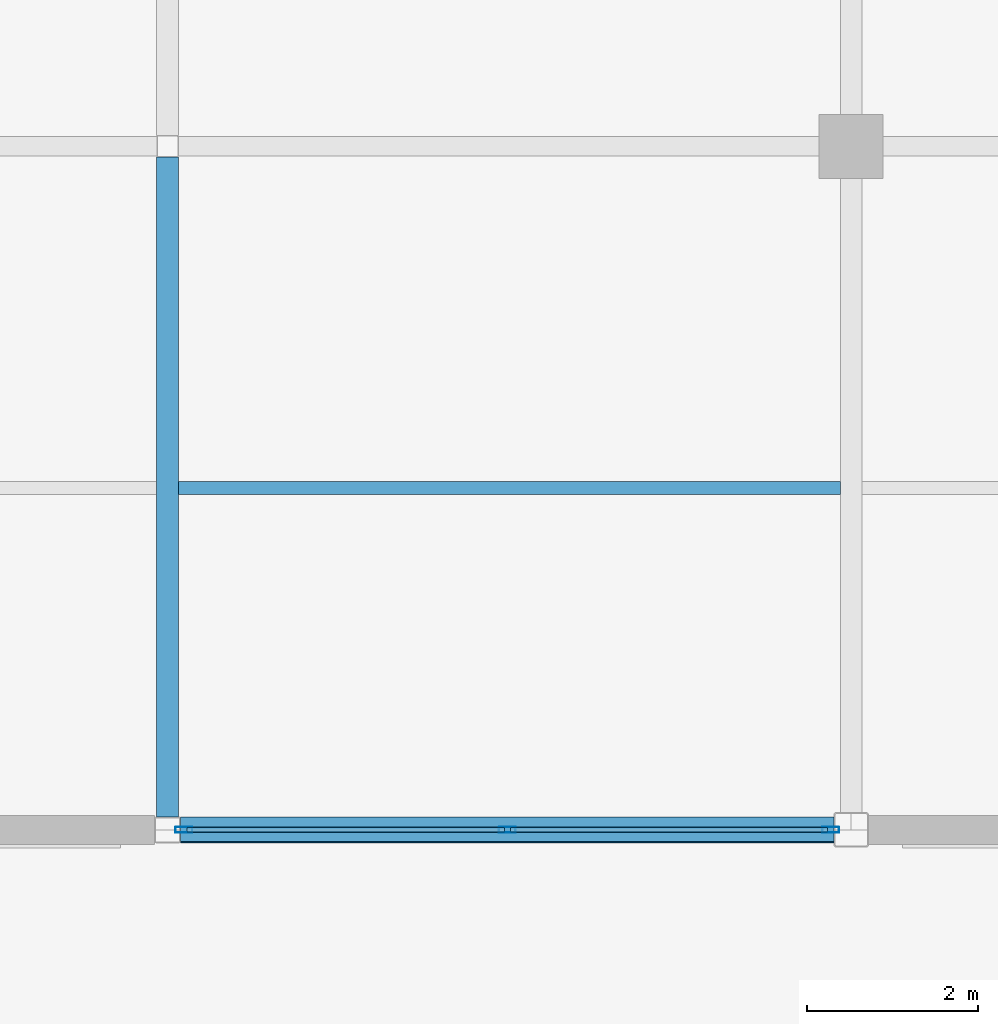
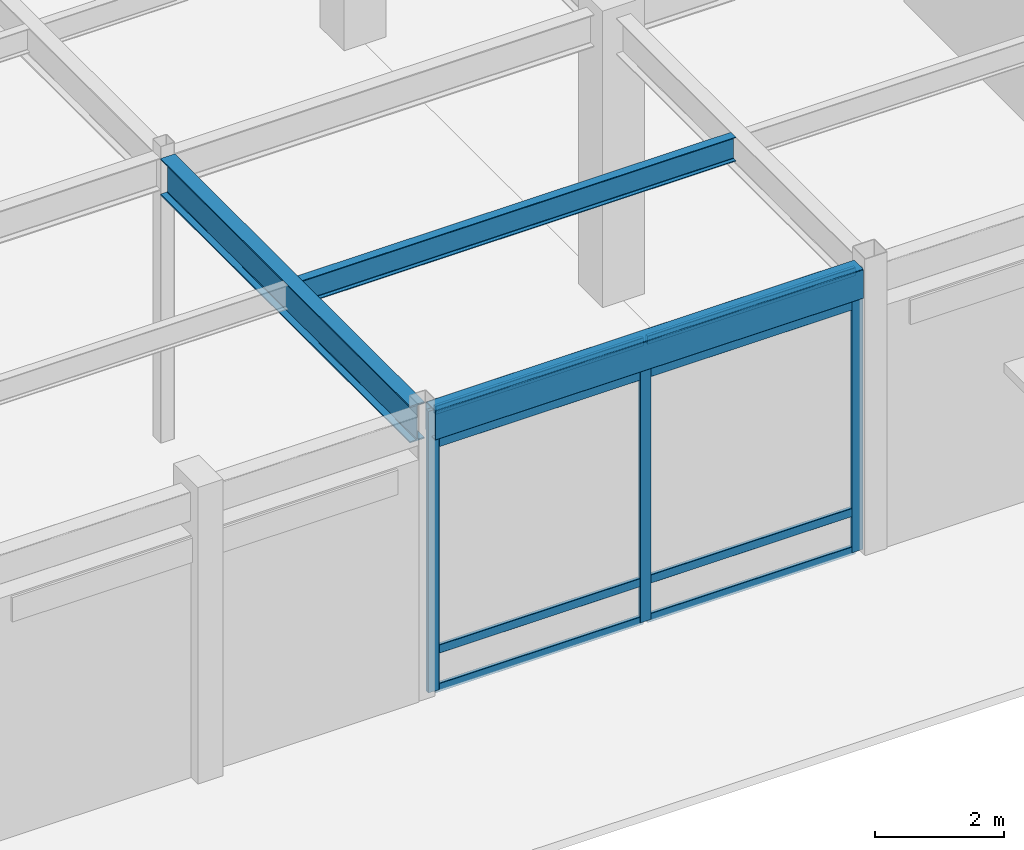
# One storey, part 46 of 128: 11 members, 3 beams, 1 element without a shape of its own.
"""IFC4 building model written with IfcOpenShell, lengths in metres."""

from ifc_helpers import new_model, si_unit, direction, frame, origin, origin_2d, place, context, subcontext, project, spatial, hollow_rectangle, i_section, extrude, material, material_profile, profile_set, type_object, element, aggregate, save


model = new_model("IFC4")

# Units and contexts
model_context = context("Model", 3, precision=1e-05, world=origin(), true_north=direction((0.0, 1.0)))
body_context = subcontext(model_context, "Body", "Model", "MODEL_VIEW")
ifc_project = project(units=[si_unit("LENGTHUNIT", "METRE"), si_unit("AREAUNIT", "SQUARE_METRE"), si_unit("VOLUMEUNIT", "CUBIC_METRE"), si_unit("PLANEANGLEUNIT", "RADIAN"), si_unit("MASSUNIT", "GRAM", prefix="KILO")], contexts=[model_context])

# Site, building, storey
site_placement = place(None, origin())
site = spatial("IfcSite", under=ifc_project, at=site_placement, CompositionType="ELEMENT")
building_placement = place(site_placement, origin())
building = spatial("IfcBuilding", under=site, at=building_placement, Name="Solmirada Galleria", CompositionType="ELEMENT")
storey_placement = place(building_placement, origin())
storey = spatial("IfcBuildingStorey", under=building, at=storey_placement, Name="L00", CompositionType="ELEMENT", Elevation=0.0)

# Beams
ifc_material_1 = material(Name="Steel S355 / ASTM A992 Grade 50", Category="steel")
ifc_material_profile_1 = material_profile(ifc_material_1, i_section(OverallWidth=0.256103515625, OverallDepth=0.693115234375, WebThickness=0.014404296875, FlangeThickness=0.023681640625, FilletRadius=0.01806640625, at=origin_2d()), Name="W27X114")
ifc_profile_set_1 = profile_set([ifc_material_profile_1], Name="Steel S355 / ASTM A992 Grade 50")
beam_type_1 = type_object("IfcBeamType", Name="BM-GIRD-W27A", PredefinedType="BEAM", material=ifc_profile_set_1)
beam_1_placement = place(storey_placement, frame((72.0, 0.152587890625, 5.033447265625), z_axis=(0.0, 1.0, 0.0), x_axis=(-1.0, 0.0, 0.0)))
element("IfcBeam", 1, at=beam_1_placement, inside=storey, type_object=beam_type_1, Name="Primary girder L01 Y(72, 0..8)", PredefinedType="BEAM", context=body_context, shape_type="SweptSolid", body=[
    extrude(i_section(OverallWidth=0.256103515625, OverallDepth=0.693115234375, WebThickness=0.014404296875, FlangeThickness=0.023681640625, FilletRadius=0.01806640625, at=origin_2d()), origin(), (0.0, 0.0, 1.0), 7.720458984375),
])
ifc_material_profile_2 = material_profile(ifc_material_1, i_section(OverallWidth=0.153076171875, OverallDepth=0.455078125, WebThickness=0.008056640625, FlangeThickness=0.01318359375, FilletRadius=0.011962890625, at=origin_2d()), Name="W18X40")
ifc_profile_set_2 = profile_set([ifc_material_profile_2], Name="Steel S355 / ASTM A992 Grade 50")
beam_type_2 = type_object("IfcBeamType", Name="BM-JST-W18A", PredefinedType="JOIST", material=ifc_profile_set_2)
beam_2_placement = place(storey_placement, frame((72.1279296875, 4.0, 5.152587890625), z_axis=(1.0, 0.0, 0.0), x_axis=(0.0, 1.0, 0.0)))
element("IfcBeam", 2, at=beam_2_placement, inside=storey, type_object=beam_type_2, Name="Composite floor joist L01 (72..80, 4.0)", PredefinedType="JOIST", context=body_context, shape_type="SweptSolid", body=[
    extrude(i_section(OverallWidth=0.153076171875, OverallDepth=0.455078125, WebThickness=0.008056640625, FlangeThickness=0.01318359375, FilletRadius=0.011962890625, at=origin_2d()), origin(), (0.0, 0.0, 1.0), 7.7451171875),
])
ifc_material_2 = material(Name="Steel S355 / ASTM A500 Grade C", Category="steel")
ifc_material_profile_3 = material_profile(ifc_material_2, hollow_rectangle(XDim=0.304931640625, YDim=0.55908203125, WallThickness=0.01171875, InnerFilletRadius=0.01171875, OuterFilletRadius=0.023681640625, at=origin_2d()), Name="HSS22X12X1/2")
ifc_profile_set_3 = profile_set([ifc_material_profile_3], Name="Steel S355 / ASTM A500 Grade C")
beam_type_3 = type_object("IfcBeamType", Name="BM-SPAND-W21", PredefinedType="SPANDREL", material=ifc_profile_set_3)
beam_3_placement = place(storey_placement, frame((72.152587890625, 0.0, 5.1005859375), z_axis=(1.0, 0.0, 0.0), x_axis=(0.0, 1.0, 0.0)))
element("IfcBeam", 3, at=beam_3_placement, inside=storey, type_object=beam_type_3, Name="Primary beam L01 X(72..80, 0)", PredefinedType="SPANDREL", context=body_context, shape_type="SweptSolid", body=[
    extrude(hollow_rectangle(XDim=0.304931640625, YDim=0.55908203125, WallThickness=0.01171875, InnerFilletRadius=0.01171875, OuterFilletRadius=0.023681640625, at=origin_2d()), origin(), (0.0, 0.0, 1.0), 7.64453125),
])

# Curtain wall, members
ifc_material_3 = material(Name="Impact-resistant low-E double glazing", Category="glass")
curtain_wall_type = type_object("IfcCurtainWallType", Name="CW-FZ1-L00-B2-L076", PredefinedType="NOTDEFINED", material=ifc_material_3)
curtain_wall_placement = place(storey_placement, origin())
curtain_wall = element("IfcCurtainWall", 4, at=curtain_wall_placement, inside=storey, type_object=curtain_wall_type, Name="Terrace and arcade storefront CW-L00-026", PredefinedType="NOTDEFINED")
ifc_material_4 = material(Name="Anodised aluminium framing", Category="aluminium")
ifc_material_profile_4 = material_profile(ifc_material_4, hollow_rectangle(XDim=0.070068359375, YDim=0.199951171875, WallThickness=0.004150390625, InnerFilletRadius=0.004150390625, OuterFilletRadius=0.00830078125, at=origin_2d()), Name="ALU-MULL-200X70")
ifc_profile_set_4 = profile_set([ifc_material_profile_4], Name="Anodised aluminium framing")
member_type_1 = type_object("IfcMemberType", Name="CW-MULL-200", PredefinedType="MULLION", material=ifc_profile_set_4)
member_1_placement = place(storey_placement, frame((79.760009765625, 0.0, 0.0), z_axis=(0.0, 0.0, 1.0), x_axis=(0.0, -1.0, 0.0)))
member_1 = element("IfcMember", 5, at=member_1_placement, type_object=member_type_1, Name="CW10 mullion 1", PredefinedType="MULLION", context=body_context, shape_type="SweptSolid", body=[
    extrude(hollow_rectangle(XDim=0.070068359375, YDim=0.199951171875, WallThickness=0.004150390625, InnerFilletRadius=0.004150390625, OuterFilletRadius=0.00830078125, at=origin_2d()), origin(), (0.0, 0.0, 1.0), 5.320068359375),
])
member_2_placement = place(storey_placement, frame((75.974853515625, 0.0, 0.0), z_axis=(0.0, 0.0, 1.0), x_axis=(0.0, -1.0, 0.0)))
member_2 = element("IfcMember", 6, at=member_2_placement, type_object=member_type_1, Name="CW10 mullion 2", PredefinedType="MULLION", context=body_context, shape_type="SweptSolid", body=[
    extrude(hollow_rectangle(XDim=0.070068359375, YDim=0.199951171875, WallThickness=0.004150390625, InnerFilletRadius=0.004150390625, OuterFilletRadius=0.00830078125, at=origin_2d()), origin(), (0.0, 0.0, 1.0), 5.320068359375),
])
member_3_placement = place(storey_placement, frame((72.189453125, 0.0, 0.0), z_axis=(0.0, 0.0, 1.0), x_axis=(0.0, -1.0, 0.0)))
member_3 = element("IfcMember", 7, at=member_3_placement, type_object=member_type_1, Name="CW10 mullion 3", PredefinedType="MULLION", context=body_context, shape_type="SweptSolid", body=[
    extrude(hollow_rectangle(XDim=0.070068359375, YDim=0.199951171875, WallThickness=0.004150390625, InnerFilletRadius=0.004150390625, OuterFilletRadius=0.00830078125, at=origin_2d()), origin(), (0.0, 0.0, 1.0), 5.320068359375),
])
ifc_material_profile_5 = material_profile(ifc_material_4, hollow_rectangle(XDim=0.06494140625, YDim=0.159912109375, WallThickness=0.00390625, InnerFilletRadius=0.00390625, OuterFilletRadius=0.007568359375, at=origin_2d()), Name="ALU-TRAN-160X65")
ifc_profile_set_5 = profile_set([ifc_material_profile_5], Name="Anodised aluminium framing")
member_type_2 = type_object("IfcMemberType", Name="CW-TRAN-160", PredefinedType="USERDEFINED", material=ifc_profile_set_5)
member_4_placement = place(storey_placement, frame((79.72509765625, 0.0, 0.032470703125), z_axis=(-1.0, 0.0, 0.0), x_axis=(0.0, -1.0, 0.0)))
member_4 = element("IfcMember", 8, at=member_4_placement, type_object=member_type_2, Name="CW10 transom 1.1", ObjectType="TRANSOM", PredefinedType="USERDEFINED", context=body_context, shape_type="SweptSolid", body=[
    extrude(hollow_rectangle(XDim=0.06494140625, YDim=0.159912109375, WallThickness=0.00390625, InnerFilletRadius=0.00390625, OuterFilletRadius=0.007568359375, at=origin_2d()), origin(), (0.0, 0.0, 1.0), 3.71533203125),
])
member_5_placement = place(storey_placement, frame((79.72509765625, 0.0, 0.760009765625), z_axis=(-1.0, 0.0, 0.0), x_axis=(0.0, -1.0, 0.0)))
member_5 = element("IfcMember", 9, at=member_5_placement, type_object=member_type_2, Name="CW10 transom 1.2", ObjectType="TRANSOM", PredefinedType="USERDEFINED", context=body_context, shape_type="SweptSolid", body=[
    extrude(hollow_rectangle(XDim=0.06494140625, YDim=0.159912109375, WallThickness=0.00390625, InnerFilletRadius=0.00390625, OuterFilletRadius=0.007568359375, at=origin_2d()), origin(), (0.0, 0.0, 1.0), 3.71533203125),
])
member_6_placement = place(storey_placement, frame((79.72509765625, 0.0, 4.659912109375), z_axis=(-1.0, 0.0, 0.0), x_axis=(0.0, -1.0, 0.0)))
member_6 = element("IfcMember", 10, at=member_6_placement, type_object=member_type_2, Name="CW10 transom 1.3", ObjectType="TRANSOM", PredefinedType="USERDEFINED", context=body_context, shape_type="SweptSolid", body=[
    extrude(hollow_rectangle(XDim=0.06494140625, YDim=0.159912109375, WallThickness=0.00390625, InnerFilletRadius=0.00390625, OuterFilletRadius=0.007568359375, at=origin_2d()), origin(), (0.0, 0.0, 1.0), 3.71533203125),
])
member_7_placement = place(storey_placement, frame((79.72509765625, 0.0, 5.28759765625), z_axis=(-1.0, 0.0, 0.0), x_axis=(0.0, -1.0, 0.0)))
member_7 = element("IfcMember", 11, at=member_7_placement, type_object=member_type_2, Name="CW10 transom 1.4", ObjectType="TRANSOM", PredefinedType="USERDEFINED", context=body_context, shape_type="SweptSolid", body=[
    extrude(hollow_rectangle(XDim=0.06494140625, YDim=0.159912109375, WallThickness=0.00390625, InnerFilletRadius=0.00390625, OuterFilletRadius=0.007568359375, at=origin_2d()), origin(), (0.0, 0.0, 1.0), 3.71533203125),
])
member_8_placement = place(storey_placement, frame((75.939697265625, 0.0, 0.032470703125), z_axis=(-1.0, 0.0, 0.0), x_axis=(0.0, -1.0, 0.0)))
member_8 = element("IfcMember", 12, at=member_8_placement, type_object=member_type_2, Name="CW10 transom 2.1", ObjectType="TRANSOM", PredefinedType="USERDEFINED", context=body_context, shape_type="SweptSolid", body=[
    extrude(hollow_rectangle(XDim=0.06494140625, YDim=0.159912109375, WallThickness=0.00390625, InnerFilletRadius=0.00390625, OuterFilletRadius=0.007568359375, at=origin_2d()), origin(), (0.0, 0.0, 1.0), 3.715087890625),
])
member_9_placement = place(storey_placement, frame((75.939697265625, 0.0, 0.760009765625), z_axis=(-1.0, 0.0, 0.0), x_axis=(0.0, -1.0, 0.0)))
member_9 = element("IfcMember", 13, at=member_9_placement, type_object=member_type_2, Name="CW10 transom 2.2", ObjectType="TRANSOM", PredefinedType="USERDEFINED", context=body_context, shape_type="SweptSolid", body=[
    extrude(hollow_rectangle(XDim=0.06494140625, YDim=0.159912109375, WallThickness=0.00390625, InnerFilletRadius=0.00390625, OuterFilletRadius=0.007568359375, at=origin_2d()), origin(), (0.0, 0.0, 1.0), 3.715087890625),
])
member_10_placement = place(storey_placement, frame((75.939697265625, 0.0, 4.659912109375), z_axis=(-1.0, 0.0, 0.0), x_axis=(0.0, -1.0, 0.0)))
member_10 = element("IfcMember", 14, at=member_10_placement, type_object=member_type_2, Name="CW10 transom 2.3", ObjectType="TRANSOM", PredefinedType="USERDEFINED", context=body_context, shape_type="SweptSolid", body=[
    extrude(hollow_rectangle(XDim=0.06494140625, YDim=0.159912109375, WallThickness=0.00390625, InnerFilletRadius=0.00390625, OuterFilletRadius=0.007568359375, at=origin_2d()), origin(), (0.0, 0.0, 1.0), 3.715087890625),
])
member_11_placement = place(storey_placement, frame((75.939697265625, 0.0, 5.28759765625), z_axis=(-1.0, 0.0, 0.0), x_axis=(0.0, -1.0, 0.0)))
member_11 = element("IfcMember", 15, at=member_11_placement, type_object=member_type_2, Name="CW10 transom 2.4", ObjectType="TRANSOM", PredefinedType="USERDEFINED", context=body_context, shape_type="SweptSolid", body=[
    extrude(hollow_rectangle(XDim=0.06494140625, YDim=0.159912109375, WallThickness=0.00390625, InnerFilletRadius=0.00390625, OuterFilletRadius=0.007568359375, at=origin_2d()), origin(), (0.0, 0.0, 1.0), 3.715087890625),
])
aggregate(curtain_wall, [member_1, member_2, member_3, member_4, member_5, member_6, member_7, member_8, member_9, member_10, member_11])

save(model, "model.ifc")
